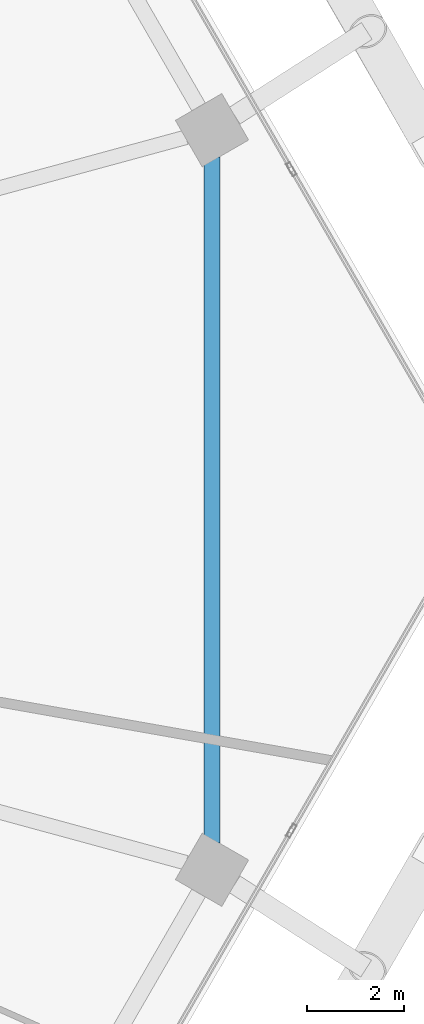
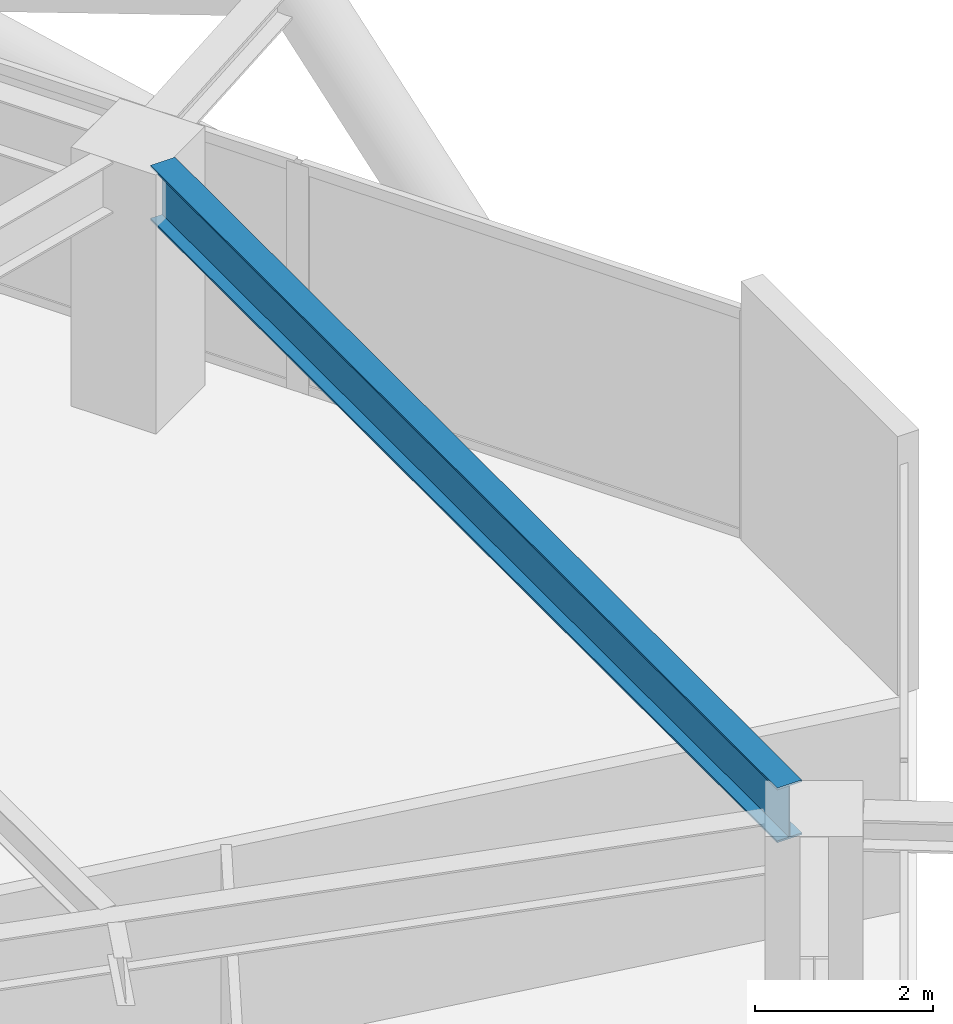
# One storey, part 14 of 35: 1 beam.
"""IFC4 building model written with IfcOpenShell, lengths in metres."""

from ifc_helpers import new_model, si_unit, direction, frame, origin, origin_2d, place, context, subcontext, project, spatial, i_section, extrude, material, material_profile, profile_set, type_object, element, save


model = new_model("IFC4")

# Units and contexts
model_context = context("Model", 3, precision=1e-05, world=origin(), true_north=direction((0.0, 1.0)))
body_context = subcontext(model_context, "Body", "Model", "MODEL_VIEW")
ifc_project = project(units=[si_unit("LENGTHUNIT", "METRE"), si_unit("AREAUNIT", "SQUARE_METRE"), si_unit("VOLUMEUNIT", "CUBIC_METRE"), si_unit("PLANEANGLEUNIT", "RADIAN"), si_unit("MASSUNIT", "GRAM", prefix="KILO")], contexts=[model_context])

# Site, building, storey
site_placement = place(None, origin())
site = spatial("IfcSite", under=ifc_project, at=site_placement, CompositionType="ELEMENT")
building_placement = place(site_placement, origin())
building = spatial("IfcBuilding", under=site, at=building_placement, Name="Zuhravey Tower", CompositionType="ELEMENT")
storey_placement = place(building_placement, frame((0.0, 0.0, 138.0)))
storey = spatial("IfcBuildingStorey", under=building, at=storey_placement, Name="L34", CompositionType="ELEMENT", Elevation=138.0)

# Beam
ifc_material = material(Name="Steel SM355", Category="steel")
ifc_material_profile = material_profile(ifc_material, i_section(OverallWidth=0.320068359375, OverallDepth=0.75, WebThickness=0.013916015625, FlangeThickness=0.02490234375, at=origin_2d()), Name="H-750x320x14x25")
ifc_profile_set = profile_set([ifc_material_profile], Name="Steel SM355")
beam_type = type_object("IfcBeamType", Name="Perimeter Ring Beam H750x320", PredefinedType="BEAM", material=ifc_profile_set)
beam_placement = place(storey_placement, frame((63.88916015625, 24.96142578125, 3.175048828125), z_axis=(0.0, 1.0, 0.0), x_axis=(-1.0, 0.0, 0.0)))
element("IfcBeam", 1, at=beam_placement, inside=storey, type_object=beam_type, Name="L34 PB1 BM-L34-PB-12", PredefinedType="BEAM", context=body_context, shape_type="SweptSolid", body=[
    extrude(i_section(OverallWidth=0.320068359375, OverallDepth=0.75, WebThickness=0.013916015625, FlangeThickness=0.02490234375, at=origin_2d()), origin(), (0.0, 0.0, 1.0), 14.0771484375),
])

save(model, "model.ifc")
